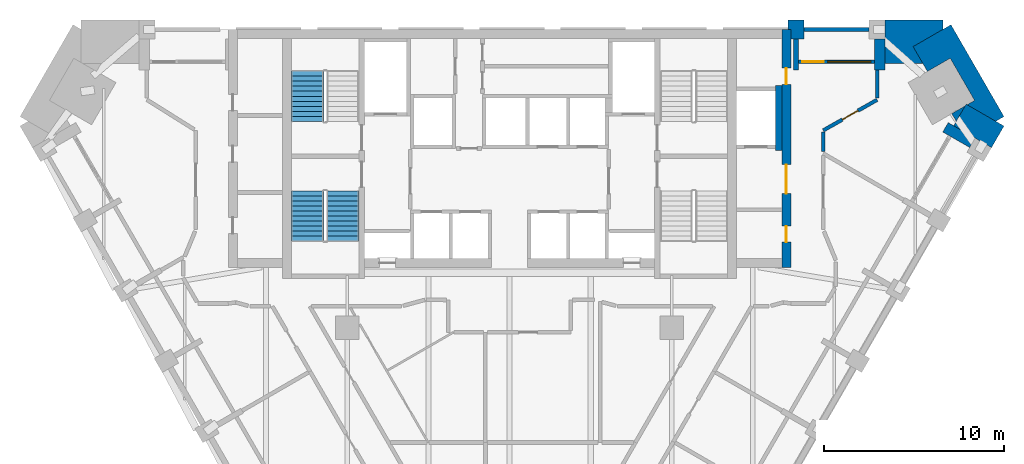
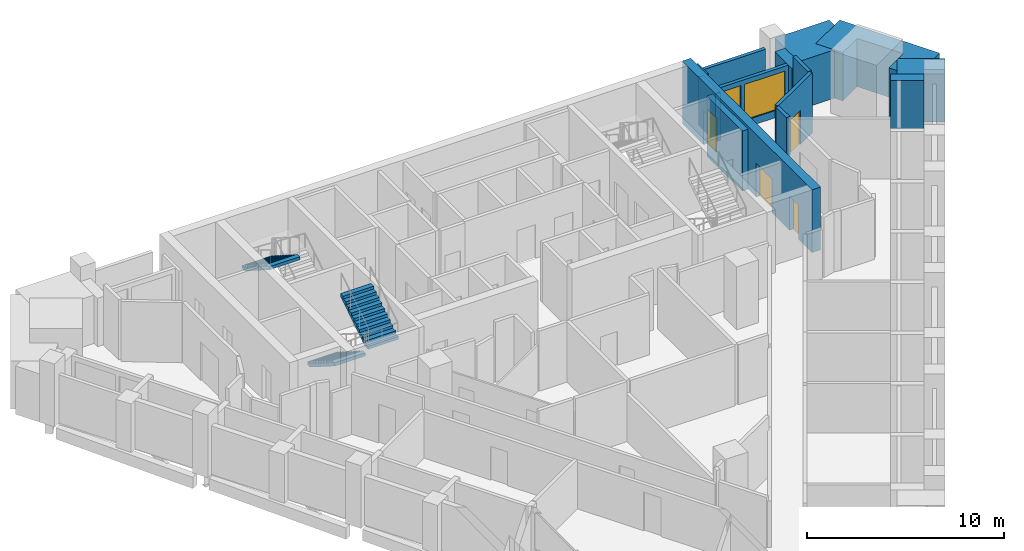
# One storey, part 8 of 10: 15 walls, 5 doors, 3 stair flights, 1 window, 6 openings, 2 elements without a shape of their own.
"""IFC4 building model written with IfcOpenShell, lengths in metres."""

from ifc_helpers import new_model, si_unit, direction, frame, frame_2d, origin, place, context, subcontext, project, spatial, polyline, rectangle, outline, extrude, faceted_brep, source, transform, mapped, material, layer, layer_set, type_object, element, fill, aggregate, save


model = new_model("IFC4")

# Units and contexts
model_context = context("Model", 3, precision=1e-05, world=origin(), true_north=direction((0.0, 1.0)))
body_context = subcontext(model_context, "Body", "Model", "MODEL_VIEW")
ifc_project = project(units=[si_unit("LENGTHUNIT", "METRE"), si_unit("AREAUNIT", "SQUARE_METRE"), si_unit("VOLUMEUNIT", "CUBIC_METRE"), si_unit("PLANEANGLEUNIT", "RADIAN"), si_unit("MASSUNIT", "GRAM", prefix="KILO")], contexts=[model_context])

# Site, building, storey
site_placement = place(None, origin())
site = spatial("IfcSite", under=ifc_project, at=site_placement, CompositionType="ELEMENT")
building_placement = place(site_placement, origin())
building = spatial("IfcBuilding", under=site, at=building_placement, Name="Calabash Gate Tower", CompositionType="ELEMENT")
storey_placement = place(building_placement, frame((0.0, 0.0, 164.10009765625)))
storey = spatial("IfcBuildingStorey", under=building, at=storey_placement, Name="L38", CompositionType="ELEMENT", Elevation=164.10009765625)

# Walls
ifc_material_1 = material(Name="Terracotta brick masonry, exposed face", Category="masonry")
ifc_layer_1 = layer(ifc_material_1, 2.425048828125)
ifc_layer_set_1 = layer_set([ifc_layer_1], Name="Brick corner mass wall 2425")
wall_type_1 = type_object("IfcWallType", Name="Brick corner mass wall 2425", PredefinedType="SOLIDWALL", material=ifc_layer_set_1)
wall_1_placement = place(storey_placement, frame((27.079833984375, 13.097900390625, 0.0), z_axis=(0.0, 0.0, 1.0), x_axis=(-0.866041403502, 0.499972286653, 0.0)))
element("IfcWall", 1, at=wall_1_placement, inside=storey, type_object=wall_type_1, Name="Brick corner pier S10 3a", PredefinedType="SOLIDWALL", context=body_context, shape_type="SweptSolid", body=[
    extrude(rectangle(XDim=2.425048828125, YDim=1.383544921875, at=frame_2d((1.21240234375, 0.0))), origin(), (0.0, 0.0, 1.0), 3.0),
])
wall_2_placement = place(storey_placement, origin())
element("IfcWall", 2, at=wall_2_placement, inside=storey, type_object=wall_type_1, Name="Brick corner pier S10 3ba", PredefinedType="SOLIDWALL", context=body_context, shape_type="SweptSolid", body=[
    extrude(outline(polyline([(24.5302734375, 14.38671875), (24.777099609375, 13.95947265625), (25.2705078125, 14.814208984375), (24.5302734375, 14.38671875)])), origin(), (0.0, 0.0, 1.0), 3.0),
])
wall_3_placement = place(storey_placement, origin())
element("IfcWall", 3, at=wall_3_placement, inside=storey, type_object=wall_type_1, Name="Brick corner pier S10 3bb", PredefinedType="SOLIDWALL", context=body_context, shape_type="SweptSolid", body=[
    extrude(outline(polyline([(23.180419921875, 16.72509765625), (24.443115234375, 17.4541015625), (25.793212890625, 15.115966796875), (25.380615234375, 14.877685546875), (26.970947265625, 13.95947265625), (27.42578125, 14.221923828125), (24.485107421875, 19.31494140625), (22.385009765625, 18.1025390625), (23.180419921875, 16.72509765625)])), origin(), (0.0, 0.0, 1.0), 3.0),
])
wall_4_placement = place(storey_placement, origin())
element("IfcWall", 4, at=wall_4_placement, inside=storey, type_object=wall_type_1, Name="Brick corner pier S10 3c", PredefinedType="SOLIDWALL", context=body_context, shape_type="SweptSolid", body=[
    extrude(outline(polyline([(20.83740234375, 19.57763671875), (20.83740234375, 17.152587890625), (22.93359375, 17.152587890625), (22.385009765625, 18.1025390625), (24.030517578125, 19.052490234375), (24.030517578125, 19.57763671875), (20.83740234375, 19.57763671875)])), origin(), (0.0, 0.0, 1.0), 3.0),
])
ifc_material_2 = material(Name="Terracotta brick masonry, exposed face", Category="masonry")
ifc_layer_2 = layer(ifc_material_2, 1.050048828125)
ifc_layer_set_2 = layer_set([ifc_layer_2], Name="Brick end wall 1050")
wall_type_2 = type_object("IfcWallType", Name="Brick end wall 1050", PredefinedType="SOLIDWALL", material=ifc_layer_set_2)
wall_5_placement = place(storey_placement, origin())
element("IfcWall", 5, at=wall_5_placement, inside=storey, type_object=wall_type_2, Name="Brick pier S10 N6.1", PredefinedType="SOLIDWALL", context=body_context, shape_type="SweptSolid", body=[
    extrude(outline(polyline([(16.33740234375, 18.527587890625), (16.33740234375, 19.57763671875), (15.4375, 19.57763671875), (15.4375, 19.052490234375), (15.60009765625, 19.052490234375), (15.60009765625, 18.527587890625), (16.33740234375, 18.527587890625)])), origin(), (0.0, 0.0, 1.0), 3.0),
])
ifc_material_3 = material(Name="Terracotta brick masonry, exposed face", Category="masonry")
ifc_layer_3 = layer(ifc_material_3, 0.300048828125)
ifc_layer_set_3 = layer_set([ifc_layer_3], Name="Brick loggia cheek wall 300")
wall_type_3 = type_object("IfcWallType", Name="Brick loggia cheek wall 300", PredefinedType="SOLIDWALL", material=ifc_layer_set_3)
wall_6_placement = place(storey_placement, frame((25.67431640625, 12.76416015625, 0.0), z_axis=(0.0, 0.0, 1.0), x_axis=(-0.866039436866, 0.499975693202, 0.0)))
element("IfcWall", 6, at=wall_6_placement, inside=storey, type_object=wall_type_3, Name="Loggia cheek S10 SE4.8", PredefinedType="SOLIDWALL", context=body_context, shape_type="SweptSolid", body=[
    extrude(rectangle(XDim=1.724609375, YDim=0.60009765625, at=frame_2d((0.8623046875, 0.0))), origin(), (0.0, 0.0, 1.0), 3.0),
])
wall_7_placement = place(storey_placement, origin())
element("IfcWall", 7, at=wall_7_placement, inside=storey, type_object=wall_type_3, Name="Loggia cheek S10 N6.0", PredefinedType="SOLIDWALL", context=body_context, shape_type="SweptSolid", body=[
    extrude(outline(polyline([(20.83740234375, 16.802490234375), (20.83740234375, 18.527587890625), (20.237548828125, 18.527587890625), (20.237548828125, 16.802490234375), (20.83740234375, 16.802490234375)])), origin(), (0.0, 0.0, 1.0), 3.0),
])
wall_8_placement = place(storey_placement, origin())
element("IfcWall", 8, at=wall_8_placement, inside=storey, type_object=wall_type_3, Name="Loggia cheek S10 N6.1", PredefinedType="SOLIDWALL", context=body_context, shape_type="SweptSolid", body=[
    extrude(outline(polyline([(15.737548828125, 18.527587890625), (15.737548828125, 16.802490234375), (16.037353515625, 16.802490234375), (16.037353515625, 18.527587890625), (15.737548828125, 18.527587890625)])), origin(), (0.0, 0.0, 1.0), 3.0),
])

# Wall, openings, doors
ifc_material_4 = material(Name="Concrete C70/85", Category="concrete")
ifc_layer_4 = layer(ifc_material_4, 0.5)
ifc_layer_set_4 = layer_set([ifc_layer_4], Name="Core wall 500 Concrete C70/85")
wall_type_4 = type_object("IfcWallType", Name="Core wall 500 Concrete C70/85", PredefinedType="SHEAR", material=ifc_layer_set_4)
wall_9_placement = place(storey_placement, frame((15.35009765625, 5.8525390625, 0.0), z_axis=(0.0, 0.0, 1.0), x_axis=(0.0, 1.0, 0.0)))
wall_9 = element("IfcWall", 9, at=wall_9_placement, inside=storey, type_object=wall_type_4, Name="Core wall Z3-ENDE L38", PredefinedType="SHEAR", context=body_context, shape_type="SweptSolid", body=[
    extrude(rectangle(XDim=13.199951171875, YDim=0.5, at=frame_2d((6.60009765625, 0.0))), origin(), (0.0, 0.0, 1.0), 3.89990234375),
])
opening_1_placement = place(wall_9_placement, frame((4.10009765625, 0.0, 0.0)))
opening_1 = element("IfcOpeningElement", 10, at=opening_1_placement, cuts=wall_9, Name="Opening O2-003", PredefinedType="OPENING", context=body_context, shape_type="SweptSolid", body=[
    extrude(rectangle(XDim=1.60009765625, YDim=2.10009765625, at=frame_2d((0.800048828125, 1.050048828125))), frame((0.0, 0.260009765625, 0.0), z_axis=(0.0, -1.0, 0.0), x_axis=(1.0, 0.0, 0.0)), (0.0, 0.0, 1.0), 0.52001953125),
])
opening_2_placement = place(wall_9_placement, frame((1.39990234375, 0.0, 0.0)))
opening_2 = element("IfcOpeningElement", 11, at=opening_2_placement, cuts=wall_9, Name="Opening O2-001", PredefinedType="OPENING", context=body_context, shape_type="SweptSolid", body=[
    extrude(rectangle(XDim=0.89990234375, YDim=2.10009765625, at=frame_2d((0.449951171875, 1.050048828125))), frame((0.0, 0.260009765625, 0.0), z_axis=(0.0, -1.0, 0.0), x_axis=(1.0, 0.0, 0.0)), (0.0, 0.0, 1.0), 0.52001953125),
])
opening_3_placement = place(wall_9_placement, frame((10.14990234375, 0.0, 0.0)))
opening_3 = element("IfcOpeningElement", 12, at=opening_3_placement, cuts=wall_9, Name="Opening O2-002", PredefinedType="OPENING", context=body_context, shape_type="SweptSolid", body=[
    extrude(rectangle(XDim=0.89990234375, YDim=2.10009765625, at=frame_2d((0.449951171875, 1.050048828125))), frame((0.0, 0.260009765625, 0.0), z_axis=(0.0, -1.0, 0.0), x_axis=(1.0, 0.0, 0.0)), (0.0, 0.0, 1.0), 0.52001953125),
])
ifc_material_5 = material(Name="Steel fire door set with fire-resisting glazing", Category="steel")
door_type_1 = type_object("IfcDoorType", Name="Double fire door D08 1600x2100 FD60", OperationType="DOUBLE_DOOR_SINGLE_SWING", PredefinedType="DOOR", material=ifc_material_5)
door_1_placement = place(opening_1_placement, origin())
door_1 = element("IfcDoor", 13, at=door_1_placement, inside=storey, type_object=door_type_1, Name="Service Lift Lobby E door", OperationType="DOUBLE_DOOR_SINGLE_SWING", OverallHeight=2.10009765625, OverallWidth=1.60009765625, PredefinedType="DOOR", context=body_context, shape_type="SweptSolid", body=[
    extrude(rectangle(XDim=1.60009765625, YDim=2.10009765625, at=frame_2d((0.800048828125, 1.050048828125))), frame((0.0, 0.02490234375, 0.0), z_axis=(0.0, -1.0, 0.0), x_axis=(1.0, 0.0, 0.0)), (0.0, 0.0, 1.0), 0.050048828125),
])
fill(opening_1, door_1)
ifc_material_6 = material(Name="Steel fire door set with fire-resisting glazing", Category="steel")
door_type_2 = type_object("IfcDoorType", Name="Fire door D06 900x2100 FD60", OperationType="NOTDEFINED", PredefinedType="DOOR", material=ifc_material_6)
door_2_placement = place(opening_2_placement, origin())
door_2 = element("IfcDoor", 14, at=door_2_placement, inside=storey, type_object=door_type_2, Name="Print Room door", OperationType="SINGLE_SWING_RIGHT", OverallHeight=2.10009765625, OverallWidth=0.89990234375, PredefinedType="DOOR", context=body_context, shape_type="SweptSolid", body=[
    extrude(rectangle(XDim=0.89990234375, YDim=2.10009765625, at=frame_2d((0.449951171875, 1.050048828125))), frame((0.0, 0.02490234375, 0.0), z_axis=(0.0, -1.0, 0.0), x_axis=(1.0, 0.0, 0.0)), (0.0, 0.0, 1.0), 0.050048828125),
])
fill(opening_2, door_2)
door_3_placement = place(opening_3_placement, origin())
door_3 = element("IfcDoor", 15, at=door_3_placement, inside=storey, type_object=door_type_2, Name="Men's WC door", OperationType="SINGLE_SWING_LEFT", OverallHeight=2.10009765625, OverallWidth=0.89990234375, PredefinedType="DOOR", context=body_context, shape_type="SweptSolid", body=[
    extrude(rectangle(XDim=0.89990234375, YDim=2.10009765625, at=frame_2d((0.449951171875, 1.050048828125))), frame((0.0, 0.02490234375, 0.0), z_axis=(0.0, -1.0, 0.0), x_axis=(1.0, 0.0, 0.0)), (0.0, 0.0, 1.0), 0.050048828125),
])
fill(opening_3, door_3)

# Wall
ifc_material_7 = material(Name="Gypsum board on steel studs, mineral wool", Category="steel")
ifc_layer_5 = layer(ifc_material_7, 0.199951171875)
ifc_layer_set_5 = layer_set([ifc_layer_5], Name="Partition 200 gypsum board EI 60")
wall_type_5 = type_object("IfcWallType", Name="Partition 200 gypsum board EI 60", PredefinedType="PARTITIONING", material=ifc_layer_set_5)
wall_10_placement = place(storey_placement, frame((17.400634765625, 13.352294921875, 0.0), z_axis=(0.0, 0.0, 1.0), x_axis=(0.001128922288, -0.999999362767, 0.0)))
element("IfcWall", 16, at=wall_10_placement, inside=storey, type_object=wall_type_5, Name="Partition", PredefinedType="PARTITIONING", context=body_context, shape_type="SweptSolid", body=[
    extrude(rectangle(XDim=1.081298828125, YDim=0.199951171875, at=frame_2d((0.54052734375, 0.0))), origin(), (0.0, 0.0, 1.0), 3.72998046875),
])

# Wall, opening, door
wall_11_placement = place(storey_placement, frame((17.400390625, 13.452392578125, 0.0), z_axis=(0.0, 0.0, 1.0), x_axis=(0.86915962074, 0.494531650833, 0.0)))
wall_11 = element("IfcWall", 17, at=wall_11_placement, inside=storey, type_object=wall_type_5, Name="Partition", PredefinedType="PARTITIONING", context=body_context, shape_type="SweptSolid", body=[
    extrude(rectangle(XDim=3.43701171875, YDim=0.199951171875, at=frame_2d((1.718505859375, 0.0))), origin(), (0.0, 0.0, 1.0), 3.72998046875),
])
opening_4_placement = place(wall_11_placement, frame((1.218505859375, 0.0, 0.0)))
opening_4 = element("IfcOpeningElement", 18, at=opening_4_placement, cuts=wall_11, Name="Opening 36-38-014", PredefinedType="OPENING", context=body_context, shape_type="SweptSolid", body=[
    extrude(rectangle(XDim=1.0, YDim=2.10009765625, at=frame_2d((0.5, 1.050048828125))), frame((0.0, 0.10986328125, 0.0), z_axis=(0.0, -1.0, 0.0), x_axis=(1.0, 0.0, 0.0)), (0.0, 0.0, 1.0), 0.219970703125),
])
ifc_material_8 = material(Name="Steel fire door set with fire-resisting glazing", Category="steel")
door_type_3 = type_object("IfcDoorType", Name="LD2 Meeting room door 1000x2100", OperationType="NOTDEFINED", PredefinedType="DOOR", material=ifc_material_8)
door_4_placement = place(opening_4_placement, origin())
door_4 = element("IfcDoor", 19, at=door_4_placement, inside=storey, type_object=door_type_3, Name="Meeting room door", OperationType="SINGLE_SWING_LEFT", OverallHeight=2.10009765625, OverallWidth=1.0, PredefinedType="DOOR", context=body_context, shape_type="SweptSolid", body=[
    extrude(rectangle(XDim=1.0, YDim=2.10009765625, at=frame_2d((0.5, 1.050048828125))), frame((0.0, 0.02490234375, 0.0), z_axis=(0.0, -1.0, 0.0), x_axis=(1.0, 0.0, 0.0)), (0.0, 0.0, 1.0), 0.050048828125),
])
fill(opening_4, door_4)

# Walls
wall_12_placement = place(storey_placement, frame((20.3876953125, 15.252197265625, 0.0), z_axis=(0.0, 0.0, 1.0), x_axis=(0.000157480313, 0.9999999876, 0.0)))
element("IfcWall", 20, at=wall_12_placement, inside=storey, type_object=wall_type_5, Name="Partition", PredefinedType="PARTITIONING", context=body_context, shape_type="SweptSolid", body=[
    extrude(rectangle(XDim=1.55029296875, YDim=0.199951171875, at=frame_2d((0.775146484375, 0.0))), origin(), (0.0, 0.0, 1.0), 3.72998046875),
])
ifc_material_9 = material(Name="Concrete C40/50", Category="concrete")
ifc_layer_6 = layer(ifc_material_9, 0.199951171875)
ifc_layer_set_6 = layer_set([ifc_layer_6], Name="Shaft wall 200 Concrete C40/50")
wall_type_6 = type_object("IfcWallType", Name="Shaft wall 200 Concrete C40/50", PredefinedType="SOLIDWALL", material=ifc_layer_set_6)
wall_13_placement = place(storey_placement, frame((14.925048828125, 12.3525390625, 0.0), z_axis=(0.0, 0.0, 1.0), x_axis=(0.0, 1.0, 0.0)))
element("IfcWall", 21, at=wall_13_placement, inside=storey, type_object=wall_type_6, Name="Shaft wall", PredefinedType="SOLIDWALL", context=body_context, shape_type="SweptSolid", body=[
    extrude(rectangle(XDim=3.60009765625, YDim=0.35009765625, at=frame_2d((1.800048828125, 0.0))), origin(), (0.0, 0.0, 1.0), 3.72998046875),
])
ifc_material_10 = material(Name="Terracotta brick masonry, perforated", Category="masonry")
ifc_layer_7 = layer(ifc_material_10, 0.199951171875)
ifc_layer_set_7 = layer_set([ifc_layer_7], Name="Terracotta jaali screen B")
wall_type_7 = type_object("IfcWallType", Name="Terracotta jaali screen B", PredefinedType="SOLIDWALL", material=ifc_layer_set_7)
wall_14_placement = place(storey_placement, frame((19.9375, 19.052490234375, 0.0), z_axis=(0.0, 0.0, 1.0), x_axis=(-1.0, 0.0, 0.0)))
element("IfcWall", 22, at=wall_14_placement, inside=storey, type_object=wall_type_7, Name="SCREEN B S10 N6.1", PredefinedType="SOLIDWALL", context=body_context, shape_type="SweptSolid", body=[
    extrude(rectangle(XDim=3.60009765625, YDim=0.199951171875, at=frame_2d((1.800048828125, 0.0))), origin(), (0.0, 0.0, 1.0), 3.0),
])

# Wall, openings, door, window
ifc_material_11 = material(Name="Aluminium framed window wall with insulated spandrel", Category="aluminium")
ifc_layer_8 = layer(ifc_material_11, 0.199951171875)
ifc_layer_set_8 = layer_set([ifc_layer_8], Name="Window wall 200")
wall_type_8 = type_object("IfcWallType", Name="Window wall 200", PredefinedType="ELEMENTEDWALL", material=ifc_layer_set_8)
wall_15_placement = place(storey_placement, frame((20.237548828125, 17.25244140625, 0.0), z_axis=(0.0, 0.0, 1.0), x_axis=(-1.0, 0.0, 0.0)))
wall_15 = element("IfcWall", 23, at=wall_15_placement, inside=storey, type_object=wall_type_8, Name="Window wall S10 N6.1", PredefinedType="ELEMENTEDWALL", context=body_context, shape_type="SweptSolid", body=[
    extrude(rectangle(XDim=4.2001953125, YDim=0.199951171875, at=frame_2d((2.10009765625, 0.0))), origin(), (0.0, 0.0, 1.0), 3.0),
])
opening_5_placement = place(wall_15_placement, frame((0.199951171875, 0.0, 0.449951171875)))
opening_5 = element("IfcOpeningElement", 24, at=opening_5_placement, cuts=wall_15, Name="Opening OW1", PredefinedType="OPENING", context=body_context, shape_type="SweptSolid", body=[
    extrude(rectangle(XDim=2.39990234375, YDim=2.25, at=frame_2d((1.199951171875, 1.125))), frame((0.0, 0.10986328125, 0.0), z_axis=(0.0, -1.0, 0.0), x_axis=(1.0, 0.0, 0.0)), (0.0, 0.0, 1.0), 0.219970703125),
])
opening_6_placement = place(wall_15_placement, frame((2.800048828125, 0.0, 0.0)))
opening_6 = element("IfcOpeningElement", 25, at=opening_6_placement, cuts=wall_15, Name="Opening O2-019", PredefinedType="OPENING", context=body_context, shape_type="SweptSolid", body=[
    extrude(rectangle(XDim=1.199951171875, YDim=2.699951171875, at=frame_2d((0.60009765625, 1.35009765625))), frame((0.0, 0.10986328125, 0.0), z_axis=(0.0, -1.0, 0.0), x_axis=(1.0, 0.0, 0.0)), (0.0, 0.0, 1.0), 0.219970703125),
])
ifc_material_12 = material(Name="Anodised aluminium frame, bronze finish, impact-rated laminated clear glazing", Category="aluminium")
door_type_4 = type_object("IfcDoorType", Name="Loggia door DO1 1200x2700", OperationType="SLIDING_TO_LEFT", PredefinedType="DOOR", material=ifc_material_12)
door_5_placement = place(opening_6_placement, origin())
door_5 = element("IfcDoor", 26, at=door_5_placement, inside=storey, type_object=door_type_4, Name="Loggia door S10 N6.1", OperationType="SINGLE_SWING_LEFT", OverallHeight=2.699951171875, OverallWidth=1.199951171875, PredefinedType="DOOR", context=body_context, shape_type="SweptSolid", body=[
    extrude(rectangle(XDim=1.199951171875, YDim=2.699951171875, at=frame_2d((0.60009765625, 1.35009765625))), frame((0.0, 0.02490234375, 0.0), z_axis=(0.0, -1.0, 0.0), x_axis=(1.0, 0.0, 0.0)), (0.0, 0.0, 1.0), 0.050048828125),
])
fill(opening_6, door_5)
ifc_material_13 = material(Name="Anodised aluminium frame, bronze finish, impact-rated laminated clear glazing", Category="aluminium")
window_type = type_object("IfcWindowType", Name="Window OW1 2400x2250", PartitioningType="DOUBLE_PANEL_VERTICAL", PredefinedType="WINDOW", material=ifc_material_13)
window_placement = place(opening_5_placement, origin())
window = element("IfcWindow", 27, at=window_placement, inside=storey, type_object=window_type, Name="Window OW1 S10 N6.1", OverallHeight=2.25, OverallWidth=2.39990234375, PartitioningType="SINGLE_PANEL", PredefinedType="WINDOW", context=body_context, shape_type="SweptSolid", body=[
    extrude(rectangle(XDim=2.39990234375, YDim=2.25, at=frame_2d((1.199951171875, 1.125))), frame((0.0, 0.030029296875, 0.0), z_axis=(0.0, -1.0, 0.0), x_axis=(1.0, 0.0, 0.0)), (0.0, 0.0, 1.0), 0.06005859375),
])
fill(opening_5, window)

# Stair, stair flight
ifc_material_14 = material(Name="Concrete C40/50", Category="concrete")
stair_type = type_object("IfcStairType", Name="Exit stair 22 risers of 177.3 mm", PredefinedType="HALF_TURN_STAIR", material=ifc_material_14)
stair_1_placement = place(storey_placement, origin())
stair_1 = element("IfcStair", 28, at=stair_1_placement, inside=storey, type_object=stair_type, Name="L38 Exit stair ST1", PredefinedType="HALF_TURN_STAIR")
ifc_material_15 = material(Name="Concrete C40/50", Category="concrete")
stair_flight_type = type_object("IfcStairFlightType", Name="Exit stair flight SFL", PredefinedType="STRAIGHT", material=ifc_material_15)
shared_shape = source(origin(), body_context, "Body", "Brep", [
    faceted_brep([(-0.0009765625, -0.89990234375, 0.0), (0.279541015625, -0.89990234375, 0.0), (2.791015625, -0.89990234375, 1.59521484375), (-0.0009765625, 0.89990234375, 0.0), (2.791015625, 0.89990234375, 1.59521484375), (0.279541015625, 0.89990234375, 0.0), (2.791015625, -0.89990234375, 1.78466796875), (2.7900390625, -0.89990234375, 1.78466796875), (2.7900390625, 0.89990234375, 1.78466796875), (2.791015625, 0.89990234375, 1.78466796875), (2.7900390625, -0.89990234375, 1.772705078125), (2.7900390625, 0.89990234375, 1.772705078125), (2.510986328125, -0.89990234375, 1.772705078125), (2.510986328125, 0.89990234375, 1.772705078125), (2.510986328125, -0.89990234375, 1.595458984375), (2.510986328125, 0.89990234375, 1.595458984375), (2.23193359375, -0.89990234375, 1.595458984375), (2.23193359375, 0.89990234375, 1.595458984375), (2.23193359375, -0.89990234375, 1.418212890625), (2.23193359375, 0.89990234375, 1.418212890625), (1.952880859375, -0.89990234375, 1.418212890625), (1.952880859375, -0.89990234375, 1.240966796875), (1.952880859375, 0.89990234375, 1.240966796875), (1.952880859375, 0.89990234375, 1.418212890625), (1.674072265625, -0.89990234375, 1.240966796875), (1.674072265625, -0.89990234375, 1.063720703125), (1.674072265625, 0.89990234375, 1.063720703125), (1.674072265625, 0.89990234375, 1.240966796875), (1.39501953125, -0.89990234375, 1.063720703125), (1.39501953125, -0.89990234375, 0.886474609375), (1.39501953125, 0.89990234375, 0.886474609375), (1.39501953125, 0.89990234375, 1.063720703125), (1.115966796875, -0.89990234375, 0.886474609375), (1.115966796875, -0.89990234375, 0.708984375), (1.115966796875, 0.89990234375, 0.708984375), (1.115966796875, 0.89990234375, 0.886474609375), (0.8369140625, -0.89990234375, 0.708984375), (0.8369140625, -0.89990234375, 0.53173828125), (0.8369140625, 0.89990234375, 0.53173828125), (0.8369140625, 0.89990234375, 0.708984375), (0.55810546875, -0.89990234375, 0.53173828125), (0.55810546875, -0.89990234375, 0.3544921875), (0.55810546875, 0.89990234375, 0.3544921875), (0.55810546875, 0.89990234375, 0.53173828125), (0.279052734375, -0.89990234375, 0.3544921875), (0.279052734375, -0.89990234375, 0.17724609375), (0.279052734375, 0.89990234375, 0.17724609375), (0.279052734375, 0.89990234375, 0.3544921875), (-0.0009765625, -0.89990234375, 0.17724609375), (-0.0009765625, 0.89990234375, 0.17724609375), (0.279541015625, -0.360107421875, 0.0), (2.791015625, -0.360107421875, 1.59521484375), (0.279541015625, 0.0, 0.0), (2.791015625, 0.0, 1.59521484375), (0.279541015625, 0.360107421875, 0.0), (2.791015625, 0.360107421875, 1.59521484375), (2.791015625, -0.360107421875, 1.78466796875), (2.791015625, 0.0, 1.78466796875), (2.791015625, 0.360107421875, 1.78466796875), (2.7900390625, -0.360107421875, 1.78466796875), (2.7900390625, 0.0, 1.78466796875), (2.7900390625, 0.360107421875, 1.78466796875), (2.7900390625, -0.360107421875, 1.772705078125), (2.7900390625, 0.0, 1.772705078125), (2.7900390625, 0.360107421875, 1.772705078125), (2.510986328125, -0.360107421875, 1.772705078125), (2.510986328125, 0.0, 1.772705078125), (2.510986328125, 0.360107421875, 1.772705078125), (2.510986328125, -0.360107421875, 1.595458984375), (2.510986328125, 0.0, 1.595458984375), (2.510986328125, 0.360107421875, 1.595458984375), (2.23193359375, -0.360107421875, 1.595458984375), (2.23193359375, 0.0, 1.595458984375), (2.23193359375, 0.360107421875, 1.595458984375), (2.23193359375, -0.360107421875, 1.418212890625), (2.23193359375, 0.0, 1.418212890625), (2.23193359375, 0.360107421875, 1.418212890625), (1.952880859375, -0.360107421875, 1.418212890625), (1.952880859375, 0.0, 1.418212890625), (1.952880859375, 0.360107421875, 1.418212890625), (1.952880859375, -0.360107421875, 1.240966796875), (1.952880859375, 0.0, 1.240966796875), (1.952880859375, 0.360107421875, 1.240966796875), (1.674072265625, -0.360107421875, 1.240966796875), (1.674072265625, 0.0, 1.240966796875), (1.674072265625, 0.360107421875, 1.240966796875), (1.674072265625, -0.360107421875, 1.063720703125), (1.674072265625, 0.0, 1.063720703125), (1.674072265625, 0.360107421875, 1.063720703125), (1.39501953125, -0.360107421875, 1.063720703125), (1.39501953125, 0.0, 1.063720703125), (1.39501953125, 0.360107421875, 1.063720703125), (1.39501953125, -0.360107421875, 0.886474609375), (1.39501953125, 0.0, 0.886474609375), (1.39501953125, 0.360107421875, 0.886474609375), (1.115966796875, -0.360107421875, 0.886474609375), (1.115966796875, 0.0, 0.886474609375), (1.115966796875, 0.360107421875, 0.886474609375), (1.115966796875, -0.360107421875, 0.708984375), (1.115966796875, 0.0, 0.708984375), (1.115966796875, 0.360107421875, 0.708984375), (0.8369140625, -0.360107421875, 0.708984375), (0.8369140625, 0.0, 0.708984375), (0.8369140625, 0.360107421875, 0.708984375), (0.8369140625, -0.360107421875, 0.53173828125), (0.8369140625, 0.0, 0.53173828125), (0.8369140625, 0.360107421875, 0.53173828125), (0.55810546875, -0.360107421875, 0.53173828125), (0.55810546875, 0.0, 0.53173828125), (0.55810546875, 0.360107421875, 0.53173828125), (0.55810546875, -0.360107421875, 0.3544921875), (0.55810546875, 0.0, 0.3544921875), (0.55810546875, 0.360107421875, 0.3544921875), (0.279052734375, -0.360107421875, 0.3544921875), (0.279052734375, 0.0, 0.3544921875), (0.279052734375, 0.360107421875, 0.3544921875), (0.279052734375, -0.360107421875, 0.17724609375), (0.279052734375, 0.0, 0.17724609375), (0.279052734375, 0.360107421875, 0.17724609375), (-0.0009765625, -0.360107421875, 0.17724609375), (-0.0009765625, 0.0, 0.17724609375), (-0.0009765625, 0.360107421875, 0.17724609375), (-0.0009765625, -0.360107421875, 0.0), (-0.0009765625, 0.0, 0.0), (-0.0009765625, 0.360107421875, 0.0)], [[[0, 1, 2]], [[3, 4, 5]], [[2, 6, 7]], [[4, 8, 9]], [[2, 7, 10]], [[4, 11, 8]], [[2, 10, 12]], [[4, 13, 11]], [[2, 12, 14]], [[4, 15, 13]], [[2, 14, 16]], [[4, 17, 15]], [[2, 16, 18]], [[4, 19, 17]], [[18, 20, 21]], [[19, 22, 23]], [[2, 18, 21]], [[4, 22, 19]], [[21, 24, 25]], [[22, 26, 27]], [[2, 21, 25]], [[4, 26, 22]], [[25, 28, 29]], [[26, 30, 31]], [[2, 25, 29]], [[4, 30, 26]], [[29, 32, 33]], [[30, 34, 35]], [[2, 29, 33]], [[4, 34, 30]], [[33, 36, 37]], [[34, 38, 39]], [[2, 33, 37]], [[4, 38, 34]], [[37, 40, 41]], [[38, 42, 43]], [[2, 37, 41]], [[4, 42, 38]], [[41, 44, 45]], [[42, 46, 47]], [[2, 41, 45]], [[4, 46, 42]], [[0, 2, 45]], [[3, 46, 4]], [[45, 48, 0]], [[46, 3, 49]], [[1, 50, 2]], [[50, 51, 2]], [[50, 52, 51]], [[52, 53, 51]], [[52, 54, 55]], [[52, 55, 53]], [[54, 5, 4]], [[54, 4, 55]], [[2, 51, 6]], [[51, 56, 6]], [[51, 53, 56]], [[53, 57, 56]], [[53, 55, 58]], [[53, 58, 57]], [[55, 4, 9]], [[55, 9, 58]], [[6, 56, 7]], [[56, 59, 7]], [[56, 57, 59]], [[57, 60, 59]], [[57, 58, 61]], [[57, 61, 60]], [[58, 9, 8]], [[58, 8, 61]], [[7, 59, 10]], [[59, 62, 10]], [[59, 60, 62]], [[60, 63, 62]], [[60, 61, 64]], [[60, 64, 63]], [[61, 8, 11]], [[61, 11, 64]], [[10, 62, 12]], [[62, 65, 12]], [[62, 63, 65]], [[63, 66, 65]], [[63, 64, 67]], [[63, 67, 66]], [[64, 11, 13]], [[64, 13, 67]], [[12, 65, 14]], [[65, 68, 14]], [[65, 66, 68]], [[66, 69, 68]], [[66, 67, 70]], [[66, 70, 69]], [[67, 13, 15]], [[67, 15, 70]], [[14, 68, 16]], [[68, 71, 16]], [[68, 69, 71]], [[69, 72, 71]], [[69, 70, 73]], [[69, 73, 72]], [[70, 15, 17]], [[70, 17, 73]], [[16, 71, 18]], [[71, 74, 18]], [[71, 72, 74]], [[72, 75, 74]], [[72, 73, 76]], [[72, 76, 75]], [[73, 17, 19]], [[73, 19, 76]], [[18, 74, 20]], [[74, 77, 20]], [[74, 75, 77]], [[75, 78, 77]], [[75, 76, 79]], [[75, 79, 78]], [[76, 19, 23]], [[76, 23, 79]], [[20, 77, 21]], [[77, 80, 21]], [[77, 78, 80]], [[78, 81, 80]], [[78, 79, 82]], [[78, 82, 81]], [[79, 23, 22]], [[79, 22, 82]], [[21, 80, 24]], [[80, 83, 24]], [[80, 81, 83]], [[81, 84, 83]], [[81, 82, 85]], [[81, 85, 84]], [[82, 22, 27]], [[82, 27, 85]], [[24, 83, 25]], [[83, 86, 25]], [[83, 84, 86]], [[84, 87, 86]], [[84, 85, 88]], [[84, 88, 87]], [[85, 27, 26]], [[85, 26, 88]], [[25, 86, 28]], [[86, 89, 28]], [[86, 87, 89]], [[87, 90, 89]], [[87, 88, 91]], [[87, 91, 90]], [[88, 26, 31]], [[88, 31, 91]], [[28, 89, 29]], [[89, 92, 29]], [[89, 90, 92]], [[90, 93, 92]], [[90, 91, 94]], [[90, 94, 93]], [[91, 31, 30]], [[91, 30, 94]], [[29, 92, 32]], [[92, 95, 32]], [[92, 93, 95]], [[93, 96, 95]], [[93, 94, 97]], [[93, 97, 96]], [[94, 30, 35]], [[94, 35, 97]], [[32, 95, 33]], [[95, 98, 33]], [[95, 96, 98]], [[96, 99, 98]], [[96, 97, 100]], [[96, 100, 99]], [[97, 35, 34]], [[97, 34, 100]], [[33, 98, 36]], [[98, 101, 36]], [[98, 99, 101]], [[99, 102, 101]], [[99, 100, 103]], [[99, 103, 102]], [[100, 34, 39]], [[100, 39, 103]], [[36, 101, 37]], [[101, 104, 37]], [[101, 102, 104]], [[102, 105, 104]], [[102, 103, 106]], [[102, 106, 105]], [[103, 39, 38]], [[103, 38, 106]], [[37, 104, 40]], [[104, 107, 40]], [[104, 105, 107]], [[105, 108, 107]], [[105, 106, 109]], [[105, 109, 108]], [[106, 38, 43]], [[106, 43, 109]], [[40, 107, 41]], [[107, 110, 41]], [[107, 108, 110]], [[108, 111, 110]], [[108, 109, 112]], [[108, 112, 111]], [[109, 43, 42]], [[109, 42, 112]], [[41, 110, 44]], [[110, 113, 44]], [[110, 111, 113]], [[111, 114, 113]], [[111, 112, 115]], [[111, 115, 114]], [[112, 42, 47]], [[112, 47, 115]], [[44, 113, 45]], [[113, 116, 45]], [[113, 114, 116]], [[114, 117, 116]], [[114, 115, 118]], [[114, 118, 117]], [[115, 47, 46]], [[115, 46, 118]], [[45, 116, 48]], [[116, 119, 48]], [[116, 117, 119]], [[117, 120, 119]], [[117, 118, 121]], [[117, 121, 120]], [[118, 46, 49]], [[118, 49, 121]], [[48, 119, 0]], [[119, 122, 0]], [[119, 120, 122]], [[120, 123, 122]], [[120, 121, 124]], [[120, 124, 123]], [[121, 49, 3]], [[121, 3, 124]], [[0, 122, 1]], [[122, 50, 1]], [[122, 123, 50]], [[123, 52, 50]], [[123, 124, 54]], [[123, 54, 52]], [[124, 3, 5]], [[124, 5, 54]]]),
])
stair_flight_1_placement = place(storey_placement, frame((-11.199951171875, 16.74267578125, 1.949951171875), z_axis=(0.0, 0.0, 1.0), x_axis=(0.0, -1.0, 0.0)))
stair_flight_1 = element("IfcStairFlight", 29, at=stair_flight_1_placement, type_object=stair_flight_type, Name="ST1 flight 2", NumberOfRisers=11, NumberOfTreads=10, PredefinedType="STRAIGHT", RiserHeight=0.177272727, TreadLength=0.279, context=body_context, shape_type="MappedRepresentation", body=[
    mapped(shared_shape, transform((0.0, 0.0, 0.0), scale=1.0)),
])
aggregate(stair_1, [stair_flight_1])

# Stair, stair flights
stair_2_placement = place(storey_placement, origin())
stair_2 = element("IfcStair", 30, at=stair_2_placement, inside=storey, type_object=stair_type, Name="L38 Exit stair ST2", PredefinedType="HALF_TURN_STAIR")
stair_flight_2_placement = place(storey_placement, frame((-11.199951171875, 10.1025390625, 0.0), z_axis=(0.0, 0.0, 1.0), x_axis=(0.0, -1.0, 0.0)))
stair_flight_2 = element("IfcStairFlight", 31, at=stair_flight_2_placement, type_object=stair_flight_type, Name="ST2 flight 1", NumberOfRisers=11, NumberOfTreads=10, PredefinedType="STRAIGHT", RiserHeight=0.177272727, TreadLength=0.279, context=body_context, shape_type="MappedRepresentation", body=[
    mapped(shared_shape, transform((0.0, 0.0, 0.0), scale=1.0)),
])
stair_flight_3_placement = place(storey_placement, frame((-9.25, 7.3125, 1.949951171875), z_axis=(0.0, 0.0, 1.0), x_axis=(0.0, 1.0, 0.0)))
stair_flight_3 = element("IfcStairFlight", 32, at=stair_flight_3_placement, type_object=stair_flight_type, Name="ST2 flight 2", NumberOfRisers=11, NumberOfTreads=10, PredefinedType="STRAIGHT", RiserHeight=0.177272727, TreadLength=0.279, context=body_context, shape_type="MappedRepresentation", body=[
    mapped(shared_shape, transform((0.0, 0.0, 0.0), scale=1.0)),
])
aggregate(stair_2, [stair_flight_2, stair_flight_3])

save(model, "model.ifc")
